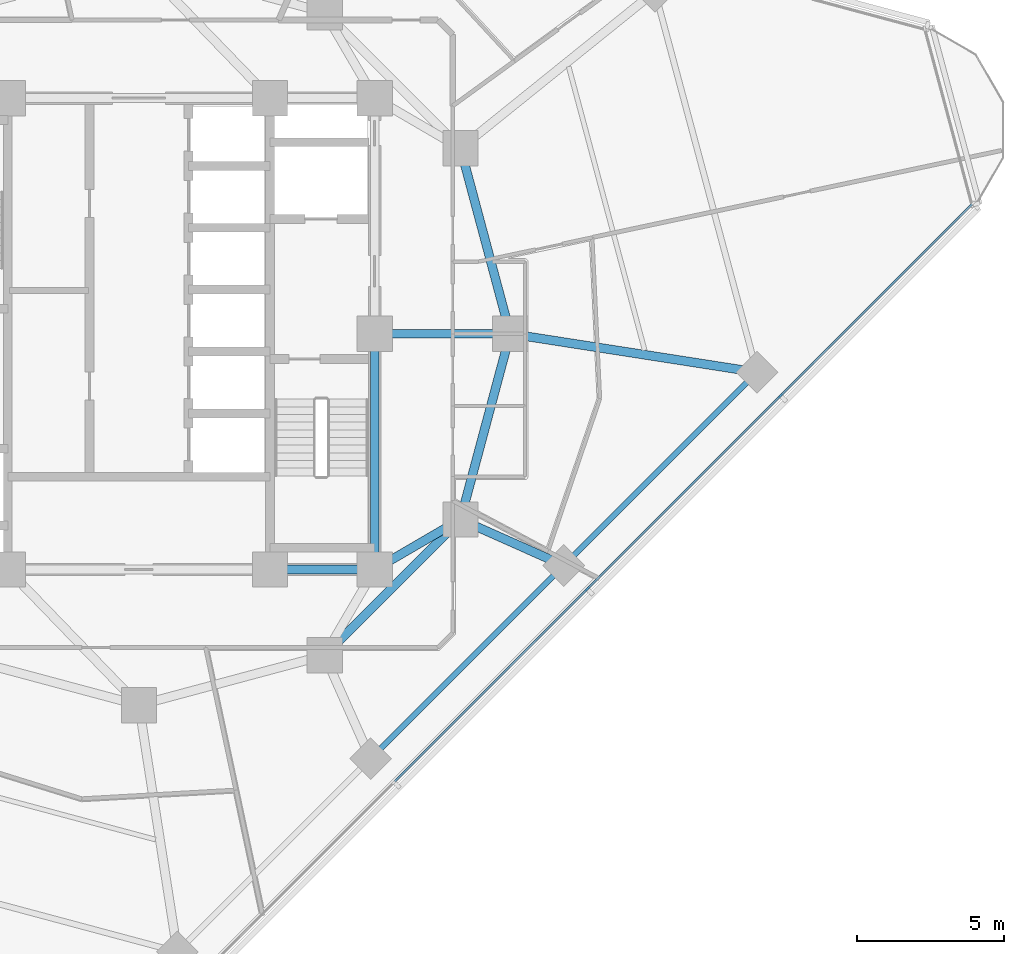
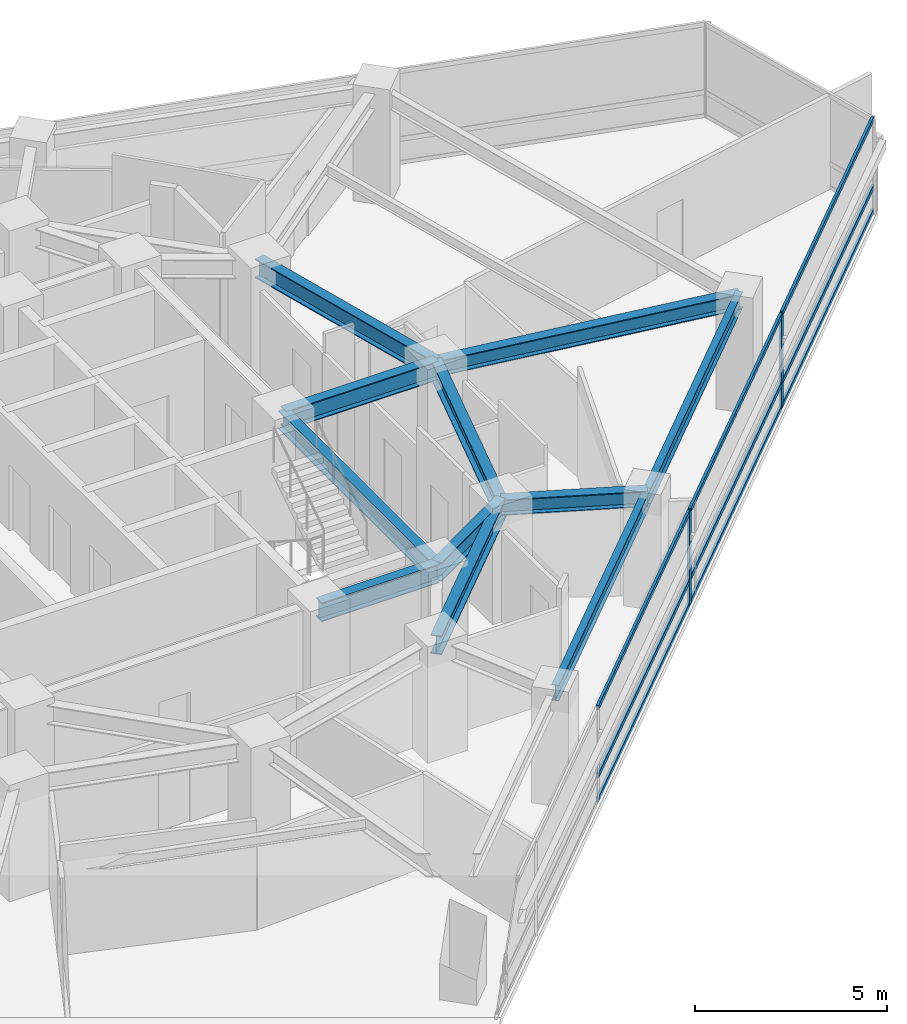
# One storey, part 3 of 14: 11 beams, 11 members, 1 element without a shape of its own.
"""IFC4 building model written with IfcOpenShell, lengths in metres."""

from ifc_helpers import new_model, si_unit, direction, frame, origin, origin_2d, place, context, subcontext, project, spatial, rectangle, i_section, extrude, material, layer, layer_set, material_profile, profile_set, type_object, element, aggregate, save


model = new_model("IFC4")

# Units and contexts
model_context = context("Model", 3, precision=1e-05, world=origin(), true_north=direction((0.0, 1.0)))
body_context = subcontext(model_context, "Body", "Model", "MODEL_VIEW")
ifc_project = project(units=[si_unit("LENGTHUNIT", "METRE"), si_unit("AREAUNIT", "SQUARE_METRE"), si_unit("VOLUMEUNIT", "CUBIC_METRE"), si_unit("PLANEANGLEUNIT", "RADIAN"), si_unit("MASSUNIT", "GRAM", prefix="KILO")], contexts=[model_context])

# Site, building, storey
site_placement = place(None, origin())
site = spatial("IfcSite", under=ifc_project, at=site_placement, CompositionType="ELEMENT")
building_placement = place(site_placement, origin())
building = spatial("IfcBuilding", under=site, at=building_placement, Name="Terralouvre Media Tower", CompositionType="ELEMENT")
storey_placement = place(building_placement, frame((0.0, 0.0, 184.199951171875)))
storey = spatial("IfcBuildingStorey", under=building, at=storey_placement, Name="L47", CompositionType="ELEMENT", Elevation=184.199951171875)

# Curtain wall, members
ifc_material_1 = material(Name="Low-iron laminated double glazing with solar-control coating", Category="glass")
ifc_layer = layer(ifc_material_1, 0.1650390625, Name="Production Studio Tower Curtain Wall CW-03")
ifc_layer_set = layer_set([ifc_layer], Name="Low-iron laminated double glazing with solar-control coating")
curtain_wall_type = type_object("IfcCurtainWallType", Name="Production Studio Tower Curtain Wall CW-03", PredefinedType="NOTDEFINED", material=ifc_layer_set)
curtain_wall_placement = place(storey_placement, origin())
curtain_wall = element("IfcCurtainWall", 1, at=curtain_wall_placement, inside=storey, type_object=curtain_wall_type, Name="L47 Facade Curtain Wall F0", PredefinedType="NOTDEFINED")
ifc_material_2 = material(Name="Anodised extruded aluminium 6063-T6", Category="aluminium")
ifc_material_profile_1 = material_profile(ifc_material_2, rectangle(XDim=0.074951171875, YDim=0.14990234375, at=origin_2d()), Name="ALU 75x150")
ifc_profile_set_1 = profile_set([ifc_material_profile_1], Name="Anodised extruded aluminium 6063-T6")
member_type_1 = type_object("IfcMemberType", Name="Curtain-Wall Horizontal Transom TR-150", PredefinedType="USERDEFINED", material=ifc_profile_set_1)
member_1_placement = place(storey_placement, frame((8.6865234375, -15.189697265625, 0.03759765625), z_axis=(0.707106781187, 0.707106781187, 0.0), x_axis=(-0.707106781187, 0.707106781187, 0.0)))
member_1 = element("IfcMember", 2, at=member_1_placement, type_object=member_type_1, Name="CW-03 transom 3.1", ObjectType="TRANSOM", PredefinedType="USERDEFINED", context=body_context, shape_type="SweptSolid", body=[
    extrude(rectangle(XDim=0.074951171875, YDim=0.14990234375, at=origin_2d()), origin(), (0.0, 0.0, 1.0), 9.19677734375),
])
member_2_placement = place(storey_placement, frame((8.6865234375, -15.189697265625, 0.800048828125), z_axis=(0.707106781187, 0.707106781187, 0.0), x_axis=(-0.707106781187, 0.707106781187, 0.0)))
member_2 = element("IfcMember", 3, at=member_2_placement, type_object=member_type_1, Name="CW-03 transom 3.2", ObjectType="TRANSOM", PredefinedType="USERDEFINED", context=body_context, shape_type="SweptSolid", body=[
    extrude(rectangle(XDim=0.074951171875, YDim=0.14990234375, at=origin_2d()), origin(), (0.0, 0.0, 1.0), 9.19677734375),
])
member_3_placement = place(storey_placement, frame((8.6865234375, -15.189697265625, 2.962646484375), z_axis=(0.707106781187, 0.707106781187, 0.0), x_axis=(-0.707106781187, 0.707106781187, 0.0)))
member_3 = element("IfcMember", 4, at=member_3_placement, type_object=member_type_1, Name="CW-03 transom 3.3", ObjectType="TRANSOM", PredefinedType="USERDEFINED", context=body_context, shape_type="SweptSolid", body=[
    extrude(rectangle(XDim=0.074951171875, YDim=0.14990234375, at=origin_2d()), origin(), (0.0, 0.0, 1.0), 9.19677734375),
])
member_4_placement = place(storey_placement, frame((15.24267578125, -8.63330078125, 0.03759765625), z_axis=(0.707120053831, 0.707093508293, 0.0), x_axis=(-0.707093508293, 0.707120053831, 0.0)))
member_4 = element("IfcMember", 5, at=member_4_placement, type_object=member_type_1, Name="CW-03 transom 4.1", ObjectType="TRANSOM", PredefinedType="USERDEFINED", context=body_context, shape_type="SweptSolid", body=[
    extrude(rectangle(XDim=0.074951171875, YDim=0.14990234375, at=origin_2d()), origin(), (0.0, 0.0, 1.0), 9.197021484375),
])
member_5_placement = place(storey_placement, frame((15.24267578125, -8.63330078125, 0.800048828125), z_axis=(0.707120053831, 0.707093508293, 0.0), x_axis=(-0.707093508293, 0.707120053831, 0.0)))
member_5 = element("IfcMember", 6, at=member_5_placement, type_object=member_type_1, Name="CW-03 transom 4.2", ObjectType="TRANSOM", PredefinedType="USERDEFINED", context=body_context, shape_type="SweptSolid", body=[
    extrude(rectangle(XDim=0.074951171875, YDim=0.14990234375, at=origin_2d()), origin(), (0.0, 0.0, 1.0), 9.197021484375),
])
member_6_placement = place(storey_placement, frame((15.24267578125, -8.63330078125, 2.962646484375), z_axis=(0.707120053831, 0.707093508293, 0.0), x_axis=(-0.707093508293, 0.707120053831, 0.0)))
member_6 = element("IfcMember", 7, at=member_6_placement, type_object=member_type_1, Name="CW-03 transom 4.3", ObjectType="TRANSOM", PredefinedType="USERDEFINED", context=body_context, shape_type="SweptSolid", body=[
    extrude(rectangle(XDim=0.074951171875, YDim=0.14990234375, at=origin_2d()), origin(), (0.0, 0.0, 1.0), 9.197021484375),
])
member_7_placement = place(storey_placement, frame((21.799072265625, -2.0771484375, 0.03759765625), z_axis=(0.707106781187, 0.707106781187, 0.0), x_axis=(-0.707106781187, 0.707106781187, 0.0)))
member_7 = element("IfcMember", 8, at=member_7_placement, type_object=member_type_1, Name="CW-03 transom 5.1", ObjectType="TRANSOM", PredefinedType="USERDEFINED", context=body_context, shape_type="SweptSolid", body=[
    extrude(rectangle(XDim=0.074951171875, YDim=0.14990234375, at=origin_2d()), origin(), (0.0, 0.0, 1.0), 9.15966796875),
])
member_8_placement = place(storey_placement, frame((21.799072265625, -2.0771484375, 0.800048828125), z_axis=(0.707106781187, 0.707106781187, 0.0), x_axis=(-0.707106781187, 0.707106781187, 0.0)))
member_8 = element("IfcMember", 9, at=member_8_placement, type_object=member_type_1, Name="CW-03 transom 5.2", ObjectType="TRANSOM", PredefinedType="USERDEFINED", context=body_context, shape_type="SweptSolid", body=[
    extrude(rectangle(XDim=0.074951171875, YDim=0.14990234375, at=origin_2d()), origin(), (0.0, 0.0, 1.0), 9.15966796875),
])
member_9_placement = place(storey_placement, frame((21.799072265625, -2.0771484375, 2.962646484375), z_axis=(0.707106781187, 0.707106781187, 0.0), x_axis=(-0.707106781187, 0.707106781187, 0.0)))
member_9 = element("IfcMember", 10, at=member_9_placement, type_object=member_type_1, Name="CW-03 transom 5.3", ObjectType="TRANSOM", PredefinedType="USERDEFINED", context=body_context, shape_type="SweptSolid", body=[
    extrude(rectangle(XDim=0.074951171875, YDim=0.14990234375, at=origin_2d()), origin(), (0.0, 0.0, 1.0), 9.15966796875),
])
ifc_material_3 = material(Name="Anodised extruded aluminium 6063-T6", Category="aluminium")
ifc_material_profile_2 = material_profile(ifc_material_3, rectangle(XDim=0.074951171875, YDim=0.179931640625, at=origin_2d()), Name="ALU 75x180")
ifc_profile_set_2 = profile_set([ifc_material_profile_2], Name="Anodised extruded aluminium 6063-T6")
member_type_2 = type_object("IfcMemberType", Name="Curtain-Wall Vertical Mullion ML-180", PredefinedType="MULLION", material=ifc_profile_set_2)
member_10_placement = place(storey_placement, frame((15.21630859375, -8.659912109375, 0.0), z_axis=(0.0, 0.0, 1.0), x_axis=(-0.707106781187, 0.707106781187, 0.0)))
member_10 = element("IfcMember", 11, at=member_10_placement, type_object=member_type_2, Name="CW-03 mullion 4", PredefinedType="MULLION", context=body_context, shape_type="SweptSolid", body=[
    extrude(rectangle(XDim=0.074951171875, YDim=0.179931640625, at=origin_2d()), origin(), (0.0, 0.0, 1.0), 3.0),
])
member_11_placement = place(storey_placement, frame((21.7724609375, -2.103515625, 0.0), z_axis=(0.0, 0.0, 1.0), x_axis=(-0.707106781187, 0.707106781187, 0.0)))
member_11 = element("IfcMember", 12, at=member_11_placement, type_object=member_type_2, Name="CW-03 mullion 5", PredefinedType="MULLION", context=body_context, shape_type="SweptSolid", body=[
    extrude(rectangle(XDim=0.074951171875, YDim=0.179931640625, at=origin_2d()), origin(), (0.0, 0.0, 1.0), 3.0),
])
aggregate(curtain_wall, [member_10, member_11, member_1, member_2, member_3, member_4, member_5, member_6, member_7, member_8, member_9])

# Beams
ifc_material_4 = material(Name="Structural steel S355J2", Category="steel")
ifc_material_profile_3 = material_profile(ifc_material_4, i_section(OverallWidth=0.199951171875, OverallDepth=0.5, WebThickness=0.01025390625, FlangeThickness=0.01611328125, at=origin_2d()), Name="IPE 500")
ifc_profile_set_3 = profile_set([ifc_material_profile_3], Name="Structural steel S355J2")
beam_type_1 = type_object("IfcBeamType", Name="Perimeter Spandrel Beam SPB-500 (IPE 500)", PredefinedType="SPANDREL", material=ifc_profile_set_3)
beam_1_placement = place(storey_placement, frame((7.86083984375, -14.417236328125, 3.25), z_axis=(0.707106781187, 0.707106781187, 0.0), x_axis=(-0.707106781187, 0.707106781187, 0.0)))
element("IfcBeam", 13, at=beam_1_placement, inside=storey, type_object=beam_type_1, Name="L47 Framing Beam BM-L47-PR04", PredefinedType="SPANDREL", context=body_context, shape_type="SweptSolid", body=[
    extrude(i_section(OverallWidth=0.199951171875, OverallDepth=0.5, WebThickness=0.01025390625, FlangeThickness=0.01611328125, at=origin_2d()), origin(), (0.0, 0.0, 1.0), 9.272216796875),
])
beam_2_placement = place(storey_placement, frame((14.417236328125, -7.86083984375, 3.25), z_axis=(0.707106781187, 0.707106781187, 0.0), x_axis=(-0.707106781187, 0.707106781187, 0.0)))
element("IfcBeam", 14, at=beam_2_placement, inside=storey, type_object=beam_type_1, Name="L47 Framing Beam BM-L47-PR05", PredefinedType="SPANDREL", context=body_context, shape_type="SweptSolid", body=[
    extrude(i_section(OverallWidth=0.199951171875, OverallDepth=0.5, WebThickness=0.01025390625, FlangeThickness=0.01611328125, at=origin_2d()), origin(), (0.0, 0.0, 1.0), 9.271728515625),
])
ifc_material_5 = material(Name="Structural steel S355J2", Category="steel")
ifc_material_profile_4 = material_profile(ifc_material_5, i_section(OverallWidth=0.300048828125, OverallDepth=0.5, WebThickness=0.014404296875, FlangeThickness=0.028076171875, at=origin_2d()), Name="HEB 500")
ifc_profile_set_4 = profile_set([ifc_material_profile_4], Name="Structural steel S355J2")
beam_type_2 = type_object("IfcBeamType", Name="Primary Floor Girder B-HEB500 (HEB 500)", PredefinedType="BEAM", material=ifc_profile_set_4)
beam_3_placement = place(storey_placement, frame((10.911865234375, -6.300048828125, 3.25), z_axis=(0.913535846257, -0.406758229915, 0.0), x_axis=(0.406758229915, 0.913535846257, 0.0)))
element("IfcBeam", 15, at=beam_3_placement, inside=storey, type_object=beam_type_2, Name="L47 Framing Beam BM-L47-RD05", PredefinedType="BEAM", context=body_context, shape_type="SweptSolid", body=[
    extrude(i_section(OverallWidth=0.300048828125, OverallDepth=0.5, WebThickness=0.014404296875, FlangeThickness=0.028076171875, at=origin_2d()), origin(), (0.0, 0.0, 1.0), 3.837158203125),
])
beam_4_placement = place(storey_placement, frame((12.60009765625, 0.0, 3.25), z_axis=(0.988077445791, -0.153957660154, 0.0), x_axis=(0.153957660154, 0.988077445791, 0.0)))
element("IfcBeam", 16, at=beam_4_placement, inside=storey, type_object=beam_type_2, Name="L47 Framing Beam BM-L47-RD06", PredefinedType="BEAM", context=body_context, shape_type="SweptSolid", body=[
    extrude(i_section(OverallWidth=0.300048828125, OverallDepth=0.5, WebThickness=0.014404296875, FlangeThickness=0.028076171875, at=origin_2d()), origin(), (0.0, 0.0, 1.0), 8.474365234375),
])
ifc_material_6 = material(Name="Structural steel S460M", Category="steel")
ifc_material_profile_5 = material_profile(ifc_material_6, i_section(OverallWidth=0.300048828125, OverallDepth=0.60009765625, WebThickness=0.015380859375, FlangeThickness=0.030029296875, at=origin_2d()), Name="HEB 600")
ifc_profile_set_5 = profile_set([ifc_material_profile_5], Name="Structural steel S460M")
beam_type_3 = type_object("IfcBeamType", Name="Primary Floor Girder B-HEB600 (HEB 600)", PredefinedType="BEAM", material=ifc_profile_set_5)
beam_5_placement = place(storey_placement, frame((4.449951171875, -8.0, 3.199951171875), z_axis=(1.0, 0.0, 0.0), x_axis=(0.0, 1.0, 0.0)))
element("IfcBeam", 17, at=beam_5_placement, inside=storey, type_object=beam_type_3, Name="L47 Framing Beam BM-L47-CPR03", PredefinedType="BEAM", context=body_context, shape_type="SweptSolid", body=[
    extrude(i_section(OverallWidth=0.300048828125, OverallDepth=0.60009765625, WebThickness=0.015380859375, FlangeThickness=0.030029296875, at=origin_2d()), origin(), (0.0, 0.0, 1.0), 3.550048828125),
])
beam_6_placement = place(storey_placement, frame((8.0, -8.0, 3.199951171875), z_axis=(0.0, 1.0, 0.0), x_axis=(-1.0, 0.0, 0.0)))
element("IfcBeam", 18, at=beam_6_placement, inside=storey, type_object=beam_type_3, Name="L47 Framing Beam BM-L47-CPR04", PredefinedType="BEAM", context=body_context, shape_type="SweptSolid", body=[
    extrude(i_section(OverallWidth=0.300048828125, OverallDepth=0.60009765625, WebThickness=0.015380859375, FlangeThickness=0.030029296875, at=origin_2d()), origin(), (0.0, 0.0, 1.0), 8.0),
])
beam_7_placement = place(storey_placement, frame((6.300048828125, -10.911865234375, 3.199951171875), z_axis=(0.707106781187, 0.707106781187, 0.0), x_axis=(-0.707106781187, 0.707106781187, 0.0)))
element("IfcBeam", 19, at=beam_7_placement, inside=storey, type_object=beam_type_3, Name="L47 Framing Beam BM-L47-MR04", PredefinedType="BEAM", context=body_context, shape_type="SweptSolid", body=[
    extrude(i_section(OverallWidth=0.300048828125, OverallDepth=0.60009765625, WebThickness=0.015380859375, FlangeThickness=0.030029296875, at=origin_2d()), origin(), (0.0, 0.0, 1.0), 6.52197265625),
])
for number, where, z_axis, x_axis, name in (
    (20, (10.911865234375, -6.300048828125, 3.199951171875), (0.258838989821, 0.965920481897, 0.0), (-0.965920481897, 0.258838989821, 0.0), "L47 Framing Beam BM-L47-MR05"),
    (21, (12.60009765625, 0.0, 3.199951171875), (-0.258838989821, 0.965920481897, 0.0), (-0.965920481897, -0.258838989821, 0.0), "L47 Framing Beam BM-L47-MR06"),
):
    element("IfcBeam", number, at=place(storey_placement, frame(where, z_axis=z_axis, x_axis=x_axis)), inside=storey, type_object=beam_type_3, Name=name, PredefinedType="BEAM", context=body_context, shape_type="SweptSolid", body=[
        extrude(i_section(OverallWidth=0.300048828125, OverallDepth=0.60009765625, WebThickness=0.015380859375, FlangeThickness=0.030029296875, at=origin_2d()), origin(), (0.0, 0.0, 1.0), 6.522216796875),
    ])
beam_8_placement = place(storey_placement, frame((8.0, -8.0, 3.199951171875), z_axis=(0.863602894532, 0.504172629717, 0.0), x_axis=(-0.504172629717, 0.863602894532, 0.0)))
element("IfcBeam", 22, at=beam_8_placement, inside=storey, type_object=beam_type_3, Name="L47 Framing Beam BM-L47-CM05", PredefinedType="BEAM", context=body_context, shape_type="SweptSolid", body=[
    extrude(i_section(OverallWidth=0.300048828125, OverallDepth=0.60009765625, WebThickness=0.015380859375, FlangeThickness=0.030029296875, at=origin_2d()), origin(), (0.0, 0.0, 1.0), 3.371826171875),
])
beam_9_placement = place(storey_placement, frame((8.0, 0.0, 3.199951171875), z_axis=(1.0, 0.0, 0.0), x_axis=(0.0, 1.0, 0.0)))
element("IfcBeam", 23, at=beam_9_placement, inside=storey, type_object=beam_type_3, Name="L47 Framing Beam BM-L47-CM06", PredefinedType="BEAM", context=body_context, shape_type="SweptSolid", body=[
    extrude(i_section(OverallWidth=0.300048828125, OverallDepth=0.60009765625, WebThickness=0.015380859375, FlangeThickness=0.030029296875, at=origin_2d()), origin(), (0.0, 0.0, 1.0), 4.60009765625),
])

save(model, "model.ifc")
